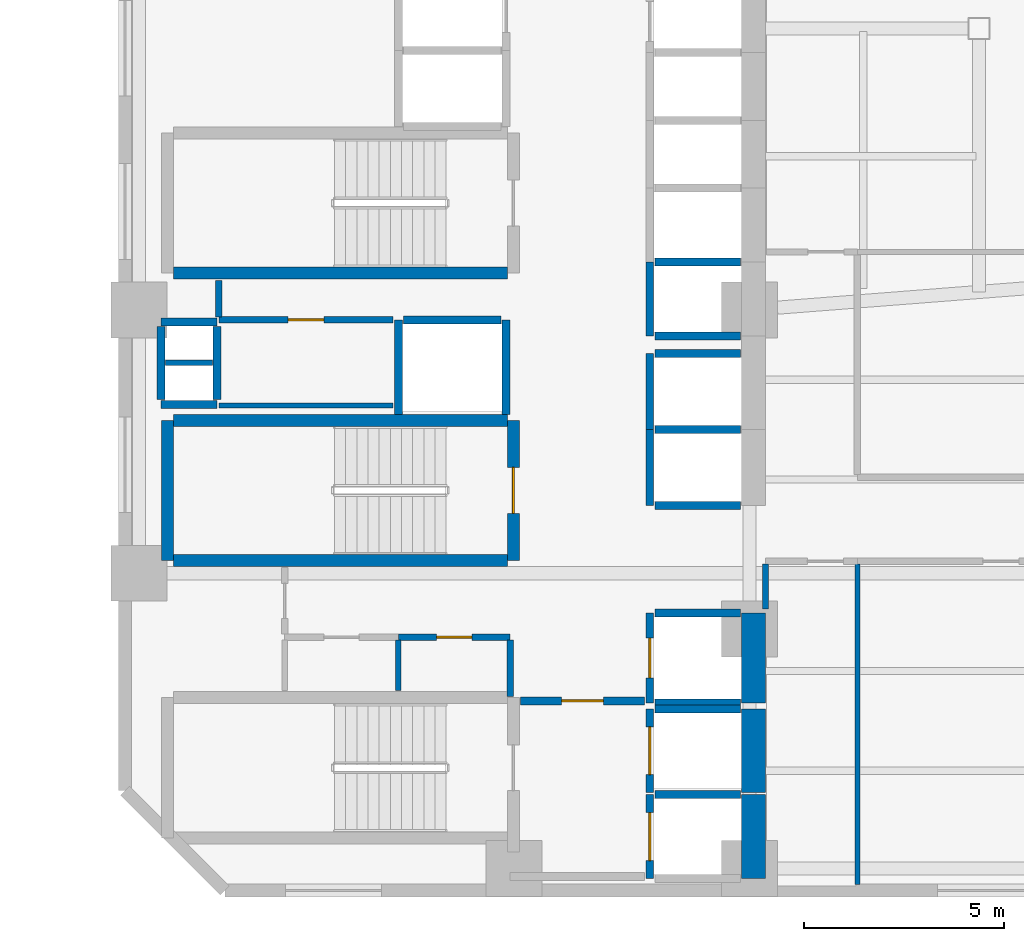
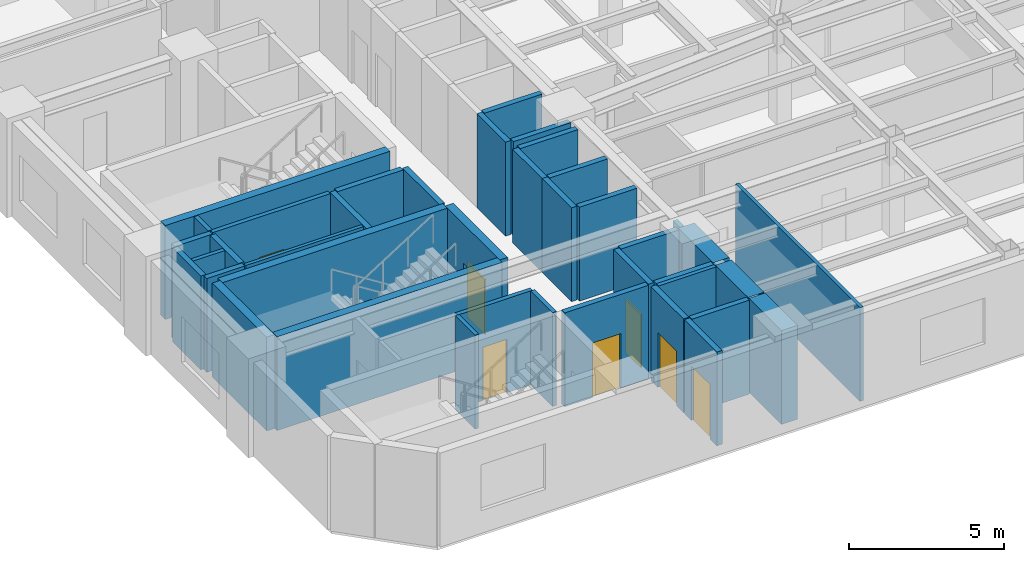
# One storey, part 3 of 10: 40 walls, 7 doors, 7 openings.
"""IFC4 building model written with IfcOpenShell, lengths in metres."""

from ifc_helpers import new_model, si_unit, direction, frame, frame_2d, origin, place, context, subcontext, project, spatial, rectangle, extrude, material, layer, layer_set, type_object, element, fill, save


model = new_model("IFC4")

# Units and contexts
model_context = context("Model", 3, precision=1e-05, world=origin(), true_north=direction((0.0, 1.0)))
body_context = subcontext(model_context, "Body", "Model", "MODEL_VIEW")
ifc_project = project(units=[si_unit("LENGTHUNIT", "METRE"), si_unit("AREAUNIT", "SQUARE_METRE"), si_unit("VOLUMEUNIT", "CUBIC_METRE"), si_unit("PLANEANGLEUNIT", "RADIAN"), si_unit("MASSUNIT", "GRAM", prefix="KILO")], contexts=[model_context])

# Site, building, storey
site_placement = place(None, origin())
site = spatial("IfcSite", under=ifc_project, at=site_placement, CompositionType="ELEMENT")
building_placement = place(site_placement, origin())
building = spatial("IfcBuilding", under=site, at=building_placement, Name="Mawjaban Terraces University", CompositionType="ELEMENT")
storey_placement = place(building_placement, frame((0.0, 0.0, 81.699951171875)))
storey = spatial("IfcBuildingStorey", under=building, at=storey_placement, Name="L19", CompositionType="ELEMENT", Elevation=81.699951171875)

# Walls
ifc_material_1 = material(Name="Concrete C70/85", Category="concrete")
ifc_layer_1 = layer(ifc_material_1, 0.60009765625)
ifc_layer_set_1 = layer_set([ifc_layer_1], Name="Concrete C70/85")
wall_type_1 = type_object("IfcWallType", Name="CoreShearWall_600", PredefinedType="SHEAR", material=ifc_layer_set_1)
wall_1_placement = place(storey_placement, frame((37.75, 0.300048828125, 0.0), z_axis=(0.0, 0.0, 1.0), x_axis=(0.0, 1.0, 0.0)))
element("IfcWall", 1, at=wall_1_placement, inside=storey, type_object=wall_type_1, Name="L19 Lift FL-1 Hoistway Wall East", PredefinedType="SHEAR", context=body_context, shape_type="SweptSolid", body=[
    extrude(rectangle(XDim=2.099853515625, YDim=0.60009765625, at=frame_2d((1.0498046875, 0.0))), origin(), (0.0, 0.0, 1.0), 3.68994140625),
])
wall_2_placement = place(storey_placement, frame((37.75, 2.449951171875, 0.0), z_axis=(0.0, 0.0, 1.0), x_axis=(0.0, 1.0, 0.0)))
element("IfcWall", 2, at=wall_2_placement, inside=storey, type_object=wall_type_1, Name="L19 Lift FL-2 Hoistway Wall East", PredefinedType="SHEAR", context=body_context, shape_type="SweptSolid", body=[
    extrude(rectangle(XDim=2.10009765625, YDim=0.60009765625, at=frame_2d((1.050048828125, 0.0))), origin(), (0.0, 0.0, 1.0), 3.68994140625),
])
wall_3_placement = place(storey_placement, frame((37.75, 4.699951171875, 0.0), z_axis=(0.0, 0.0, 1.0), x_axis=(0.0, 1.0, 0.0)))
element("IfcWall", 3, at=wall_3_placement, inside=storey, type_object=wall_type_1, Name="L19 Lift SL-1 Hoistway Wall East", PredefinedType="SHEAR", context=body_context, shape_type="SweptSolid", body=[
    extrude(rectangle(XDim=2.25, YDim=0.60009765625, at=frame_2d((1.125, 0.0))), origin(), (0.0, 0.0, 1.0), 3.68994140625),
])

# Wall, opening, door
ifc_material_2 = material(Name="Fire-rated gypsum board on steel stud", Category="steel")
ifc_layer_2 = layer(ifc_material_2, 0.159912109375)
ifc_layer_set_2 = layer_set([ifc_layer_2], Name="Fire-rated gypsum board on steel stud")
wall_type_2 = type_object("IfcWallType", Name="CorridorPartition_160", PredefinedType="PARTITIONING", material=ifc_layer_set_2)
wall_4_placement = place(storey_placement, frame((24.35009765625, 14.300048828125, 0.0), z_axis=(0.0, 0.0, 1.0), x_axis=(1.0, 0.0, 0.0)))
wall_4 = element("IfcWall", 4, at=wall_4_placement, inside=storey, type_object=wall_type_2, Name="L19 Core Riser Access Passage Partition 2", PredefinedType="PARTITIONING", context=body_context, shape_type="SweptSolid", body=[
    extrude(rectangle(XDim=4.369873046875, YDim=0.159912109375, at=frame_2d((2.18505859375, 0.0))), origin(), (0.0, 0.0, 1.0), 3.68994140625),
])
opening_1_placement = place(wall_4_placement, frame((1.735107421875, 0.0, 0.0)))
opening_1 = element("IfcOpeningElement", 5, at=opening_1_placement, cuts=wall_4, Name="Opening ID-090", PredefinedType="OPENING", context=body_context, shape_type="SweptSolid", body=[
    extrude(rectangle(XDim=0.89990234375, YDim=2.10009765625, at=frame_2d((0.449951171875, 1.050048828125))), frame((0.0, 0.08984375, 0.0), z_axis=(0.0, -1.0, 0.0), x_axis=(1.0, 0.0, 0.0)), (0.0, 0.0, 1.0), 0.179931640625),
])
ifc_material_3 = material(Name="Powder-coated steel frame and solid acoustic timber leaf", Category="steel")
door_type_1 = type_object("IfcDoorType", Name="OfficeDoor_900x2100", OperationType="NOTDEFINED", PredefinedType="DOOR", material=ifc_material_3)
door_1_placement = place(opening_1_placement, origin())
door_1 = element("IfcDoor", 6, at=door_1_placement, inside=storey, type_object=door_type_1, Name="L19 Cleaner Store Door", OperationType="SINGLE_SWING_LEFT", OverallHeight=2.10009765625, OverallWidth=0.89990234375, PredefinedType="DOOR", context=body_context, shape_type="SweptSolid", body=[
    extrude(rectangle(XDim=0.89990234375, YDim=2.10009765625, at=frame_2d((0.449951171875, 1.050048828125))), frame((0.0, 0.02490234375, 0.0), z_axis=(0.0, -1.0, 0.0), x_axis=(1.0, 0.0, 0.0)), (0.0, 0.0, 1.0), 0.050048828125),
])
fill(opening_1, door_1)

wall_5_placement = place(storey_placement, frame((28.85009765625, 6.35009765625, 0.0), z_axis=(0.0, 0.0, 1.0), x_axis=(1.0, 0.0, 0.0)))
wall_5 = element("IfcWall", 7, at=wall_5_placement, inside=storey, type_object=wall_type_2, Name="L19 Core Washroom Lobby Partition 6", PredefinedType="PARTITIONING", context=body_context, shape_type="SweptSolid", body=[
    extrude(rectangle(XDim=2.7998046875, YDim=0.159912109375, at=frame_2d((1.39990234375, 0.0))), origin(), (0.0, 0.0, 1.0), 3.68994140625),
])
opening_2_placement = place(wall_5_placement, frame((0.9599609375, 0.0, 0.0)))
opening_2 = element("IfcOpeningElement", 8, at=opening_2_placement, cuts=wall_5, Name="Opening ID-088", PredefinedType="OPENING", context=body_context, shape_type="SweptSolid", body=[
    extrude(rectangle(XDim=0.8798828125, YDim=2.10009765625, at=frame_2d((0.43994140625, 1.050048828125))), frame((0.0, 0.08984375, 0.0), z_axis=(0.0, -1.0, 0.0), x_axis=(1.0, 0.0, 0.0)), (0.0, 0.0, 1.0), 0.179931640625),
])
door_type_2 = type_object("IfcDoorType", Name="ToiletDoor_880x2100", OperationType="NOTDEFINED", PredefinedType="DOOR", material=ifc_material_3)
door_2_placement = place(opening_2_placement, origin())
door_2 = element("IfcDoor", 9, at=door_2_placement, inside=storey, type_object=door_type_2, Name="L19 Accessible Toilet Door", OperationType="SINGLE_SWING_RIGHT", OverallHeight=2.10009765625, OverallWidth=0.8798828125, PredefinedType="DOOR", context=body_context, shape_type="SweptSolid", body=[
    extrude(rectangle(XDim=0.8798828125, YDim=2.10009765625, at=frame_2d((0.43994140625, 1.050048828125))), frame((0.0, 0.02490234375, 0.0), z_axis=(0.0, -1.0, 0.0), x_axis=(1.0, 0.0, 0.0)), (0.0, 0.0, 1.0), 0.050048828125),
])
fill(opening_2, door_2)

# Walls
wall_6_placement = place(storey_placement, frame((24.35009765625, 15.2900390625, 0.0), z_axis=(0.0, 0.0, 1.0), x_axis=(0.0, -1.0, 0.0)))
element("IfcWall", 10, at=wall_6_placement, inside=storey, type_object=wall_type_2, Name="L19 Core Riser Access Passage Partition 27", PredefinedType="PARTITIONING", context=body_context, shape_type="SweptSolid", body=[
    extrude(rectangle(XDim=0.9150390625, YDim=0.159912109375, at=frame_2d((0.45751953125, 0.0))), origin(), (0.0, 0.0, 1.0), 3.68994140625),
])
wall_7_placement = place(storey_placement, frame((31.64990234375, 4.860107421875, 0.0), z_axis=(0.0, 0.0, 1.0), x_axis=(0.0, 1.0, 0.0)))
element("IfcWall", 11, at=wall_7_placement, inside=storey, type_object=wall_type_2, Name="L19 Accessible Toilet Partition 40", PredefinedType="PARTITIONING", context=body_context, shape_type="SweptSolid", body=[
    extrude(rectangle(XDim=1.414794921875, YDim=0.159912109375, at=frame_2d((0.70751953125, 0.0))), origin(), (0.0, 0.0, 1.0), 3.68994140625),
])
wall_8_placement = place(storey_placement, frame((38.050048828125, 7.050048828125, 0.0), z_axis=(0.0, 0.0, 1.0), x_axis=(0.0, 1.0, 0.0)))
element("IfcWall", 12, at=wall_8_placement, inside=storey, type_object=wall_type_2, Name="L19 Core Stair and Lift Lobby East Partition 43", PredefinedType="PARTITIONING", context=body_context, shape_type="SweptSolid", body=[
    extrude(rectangle(XDim=1.125, YDim=0.159912109375, at=frame_2d((0.5625, 0.0))), origin(), (0.0, 0.0, 1.0), 3.054931640625),
])

# Wall, opening, door
ifc_material_4 = material(Name="Concrete C40/50", Category="concrete")
ifc_layer_3 = layer(ifc_material_4, 0.199951171875)
ifc_layer_set_3 = layer_set([ifc_layer_3], Name="Concrete C40/50")
wall_type_3 = type_object("IfcWallType", Name="FireLobbyWall_200", PredefinedType="SOLIDWALL", material=ifc_layer_set_3)
wall_9_placement = place(storey_placement, frame((35.14990234375, 2.39990234375, 0.0), z_axis=(0.0, 0.0, 1.0), x_axis=(0.0, -1.0, 0.0)))
wall_9 = element("IfcWall", 13, at=wall_9_placement, inside=storey, type_object=wall_type_3, Name="L19 Lift FL-1 Hoistway Wall West", PredefinedType="SOLIDWALL", context=body_context, shape_type="SweptSolid", body=[
    extrude(rectangle(XDim=2.099853515625, YDim=0.199951171875, at=frame_2d((1.0498046875, 0.0))), origin(), (0.0, 0.0, 1.0), 3.68994140625),
])
opening_3_placement = place(wall_9_placement, frame((0.449951171875, 0.0, 0.0)))
opening_3 = element("IfcOpeningElement", 14, at=opening_3_placement, cuts=wall_9, Name="Opening LD-FL-1", PredefinedType="OPENING", context=body_context, shape_type="SweptSolid", body=[
    extrude(rectangle(XDim=1.199951171875, YDim=2.14990234375, at=frame_2d((0.60009765625, 1.074951171875))), frame((0.0, 0.10986328125, 0.0), z_axis=(0.0, -1.0, 0.0), x_axis=(1.0, 0.0, 0.0)), (0.0, 0.0, 1.0), 0.219970703125),
])
ifc_material_5 = material(Name="Powder-coated steel frame and fire-rated steel-faced leaf", Category="steel")
door_type_3 = type_object("IfcDoorType", Name="LiftLandingFSAE_1200x2150", OperationType="NOTDEFINED", PredefinedType="DOOR", material=ifc_material_5)
door_3_placement = place(opening_3_placement, origin())
door_3 = element("IfcDoor", 15, at=door_3_placement, inside=storey, type_object=door_type_3, Name="L19 Lift FL-1 Sliding Landing Door", OperationType="DOUBLE_DOOR_SLIDING", OverallHeight=2.14990234375, OverallWidth=1.199951171875, PredefinedType="DOOR", context=body_context, shape_type="SweptSolid", body=[
    extrude(rectangle(XDim=1.199951171875, YDim=2.14990234375, at=frame_2d((0.60009765625, 1.074951171875))), frame((0.0, 0.02490234375, 0.0), z_axis=(0.0, -1.0, 0.0), x_axis=(1.0, 0.0, 0.0)), (0.0, 0.0, 1.0), 0.050048828125),
])
fill(opening_3, door_3)

# Wall
wall_10_placement = place(storey_placement, frame((37.419921875, 2.39990234375, 0.0), z_axis=(0.0, 0.0, 1.0), x_axis=(-1.0, 0.0, 0.0)))
element("IfcWall", 16, at=wall_10_placement, inside=storey, type_object=wall_type_3, Name="L19 Lift FL-1 Hoistway Wall North", PredefinedType="SOLIDWALL", context=body_context, shape_type="SweptSolid", body=[
    extrude(rectangle(XDim=2.139892578125, YDim=0.199951171875, at=frame_2d((1.06982421875, 0.0))), origin(), (0.0, 0.0, 1.0), 3.68994140625),
])

# Wall, opening, door
wall_11_placement = place(storey_placement, frame((35.14990234375, 4.550048828125, 0.0), z_axis=(0.0, 0.0, 1.0), x_axis=(0.0, -1.0, 0.0)))
wall_11 = element("IfcWall", 17, at=wall_11_placement, inside=storey, type_object=wall_type_3, Name="L19 Lift FL-2 Hoistway Wall West", PredefinedType="SOLIDWALL", context=body_context, shape_type="SweptSolid", body=[
    extrude(rectangle(XDim=2.10009765625, YDim=0.199951171875, at=frame_2d((1.050048828125, 0.0))), origin(), (0.0, 0.0, 1.0), 3.68994140625),
])
opening_4_placement = place(wall_11_placement, frame((0.449951171875, 0.0, 0.0)))
opening_4 = element("IfcOpeningElement", 18, at=opening_4_placement, cuts=wall_11, Name="Opening LD-FL-2", PredefinedType="OPENING", context=body_context, shape_type="SweptSolid", body=[
    extrude(rectangle(XDim=1.199951171875, YDim=2.14990234375, at=frame_2d((0.60009765625, 1.074951171875))), frame((0.0, 0.10986328125, 0.0), z_axis=(0.0, -1.0, 0.0), x_axis=(1.0, 0.0, 0.0)), (0.0, 0.0, 1.0), 0.219970703125),
])
door_4_placement = place(opening_4_placement, origin())
door_4 = element("IfcDoor", 19, at=door_4_placement, inside=storey, type_object=door_type_3, Name="L19 Lift FL-2 Sliding Landing Door", OperationType="DOUBLE_DOOR_SLIDING", OverallHeight=2.14990234375, OverallWidth=1.199951171875, PredefinedType="DOOR", context=body_context, shape_type="SweptSolid", body=[
    extrude(rectangle(XDim=1.199951171875, YDim=2.14990234375, at=frame_2d((0.60009765625, 1.074951171875))), frame((0.0, 0.02490234375, 0.0), z_axis=(0.0, -1.0, 0.0), x_axis=(1.0, 0.0, 0.0)), (0.0, 0.0, 1.0), 0.050048828125),
])
fill(opening_4, door_4)

# Wall
wall_12_placement = place(storey_placement, frame((37.419921875, 4.550048828125, 0.0), z_axis=(0.0, 0.0, 1.0), x_axis=(-1.0, 0.0, 0.0)))
element("IfcWall", 20, at=wall_12_placement, inside=storey, type_object=wall_type_3, Name="L19 Lift FL-2 Hoistway Wall North", PredefinedType="SOLIDWALL", context=body_context, shape_type="SweptSolid", body=[
    extrude(rectangle(XDim=2.139892578125, YDim=0.199951171875, at=frame_2d((1.06982421875, 0.0))), origin(), (0.0, 0.0, 1.0), 3.68994140625),
])

# Wall, opening, door
wall_13_placement = place(storey_placement, frame((35.14990234375, 6.949951171875, 0.0), z_axis=(0.0, 0.0, 1.0), x_axis=(0.0, -1.0, 0.0)))
wall_13 = element("IfcWall", 21, at=wall_13_placement, inside=storey, type_object=wall_type_3, Name="L19 Lift SL-1 Hoistway Wall West", PredefinedType="SOLIDWALL", context=body_context, shape_type="SweptSolid", body=[
    extrude(rectangle(XDim=2.25, YDim=0.199951171875, at=frame_2d((1.125, 0.0))), origin(), (0.0, 0.0, 1.0), 3.68994140625),
])
opening_5_placement = place(wall_13_placement, frame((0.625, 0.0, 0.0)))
opening_5 = element("IfcOpeningElement", 22, at=opening_5_placement, cuts=wall_13, Name="Opening LD-SL-1", PredefinedType="OPENING", context=body_context, shape_type="SweptSolid", body=[
    extrude(rectangle(XDim=1.0, YDim=2.10009765625, at=frame_2d((0.5, 1.050048828125))), frame((0.0, 0.10986328125, 0.0), z_axis=(0.0, -1.0, 0.0), x_axis=(1.0, 0.0, 0.0)), (0.0, 0.0, 1.0), 0.219970703125),
])
door_type_4 = type_object("IfcDoorType", Name="LiftLandingSliding_1000x2100", OperationType="NOTDEFINED", PredefinedType="DOOR", material=ifc_material_5)
door_5_placement = place(opening_5_placement, origin())
door_5 = element("IfcDoor", 23, at=door_5_placement, inside=storey, type_object=door_type_4, Name="L19 Lift SL-1 Sliding Landing Door", OperationType="DOUBLE_DOOR_SLIDING", OverallHeight=2.10009765625, OverallWidth=1.0, PredefinedType="DOOR", context=body_context, shape_type="SweptSolid", body=[
    extrude(rectangle(XDim=1.0, YDim=2.10009765625, at=frame_2d((0.5, 1.050048828125))), frame((0.0, 0.02490234375, 0.0), z_axis=(0.0, -1.0, 0.0), x_axis=(1.0, 0.0, 0.0)), (0.0, 0.0, 1.0), 0.050048828125),
])
fill(opening_5, door_5)

# Walls
for number, where, z_axis, x_axis, name in (
    (24, (35.280029296875, 4.699951171875, 0.0), (0.0, 0.0, 1.0), (1.0, 0.0, 0.0), "L19 Lift SL-1 Hoistway Wall South"),
    (25, (37.419921875, 6.949951171875, 0.0), (0.0, 0.0, 1.0), (-1.0, 0.0, 0.0), "L19 Lift SL-1 Hoistway Wall North"),
):
    element("IfcWall", number, at=place(storey_placement, frame(where, z_axis=z_axis, x_axis=x_axis)), inside=storey, type_object=wall_type_3, Name=name, PredefinedType="SOLIDWALL", context=body_context, shape_type="SweptSolid", body=[
        extrude(rectangle(XDim=2.139892578125, YDim=0.199951171875, at=frame_2d((1.06982421875, 0.0))), origin(), (0.0, 0.0, 1.0), 3.68994140625),
    ])
wall_14_placement = place(storey_placement, frame((35.14990234375, 11.550048828125, 0.0), z_axis=(0.0, 0.0, 1.0), x_axis=(0.0, -1.0, 0.0)))
element("IfcWall", 26, at=wall_14_placement, inside=storey, type_object=wall_type_3, Name="L19 Lift PL-H1 Hoistway Wall West", PredefinedType="SOLIDWALL", context=body_context, shape_type="SweptSolid", body=[
    extrude(rectangle(XDim=1.900146484375, YDim=0.199951171875, at=frame_2d((0.9501953125, 0.0))), origin(), (0.0, 0.0, 1.0), 3.68994140625),
])
for number, where, z_axis, x_axis, name in (
    (27, (35.280029296875, 9.64990234375, 0.0), (0.0, 0.0, 1.0), (1.0, 0.0, 0.0), "L19 Lift PL-H1 Hoistway Wall South"),
    (28, (37.419921875, 11.550048828125, 0.0), (0.0, 0.0, 1.0), (-1.0, 0.0, 0.0), "L19 Lift PL-H1 Hoistway Wall North"),
):
    element("IfcWall", number, at=place(storey_placement, frame(where, z_axis=z_axis, x_axis=x_axis)), inside=storey, type_object=wall_type_3, Name=name, PredefinedType="SOLIDWALL", context=body_context, shape_type="SweptSolid", body=[
        extrude(rectangle(XDim=2.139892578125, YDim=0.199951171875, at=frame_2d((1.06982421875, 0.0))), origin(), (0.0, 0.0, 1.0), 3.68994140625),
    ])
wall_15_placement = place(storey_placement, frame((35.14990234375, 13.449951171875, 0.0), z_axis=(0.0, 0.0, 1.0), x_axis=(0.0, -1.0, 0.0)))
element("IfcWall", 29, at=wall_15_placement, inside=storey, type_object=wall_type_3, Name="L19 Lift PL-H2 Hoistway Wall West", PredefinedType="SOLIDWALL", context=body_context, shape_type="SweptSolid", body=[
    extrude(rectangle(XDim=1.89990234375, YDim=0.199951171875, at=frame_2d((0.949951171875, 0.0))), origin(), (0.0, 0.0, 1.0), 3.68994140625),
])
wall_16_placement = place(storey_placement, frame((37.419921875, 13.449951171875, 0.0), z_axis=(0.0, 0.0, 1.0), x_axis=(-1.0, 0.0, 0.0)))
element("IfcWall", 30, at=wall_16_placement, inside=storey, type_object=wall_type_3, Name="L19 Lift PL-H2 Hoistway Wall North", PredefinedType="SOLIDWALL", context=body_context, shape_type="SweptSolid", body=[
    extrude(rectangle(XDim=2.139892578125, YDim=0.199951171875, at=frame_2d((1.06982421875, 0.0))), origin(), (0.0, 0.0, 1.0), 3.68994140625),
])
for number, where, z_axis, x_axis, name in (
    (31, (28.85009765625, 14.300048828125, 0.0), (0.0, 0.0, 1.0), (0.0, -1.0, 0.0), "L19 Lift PL-H3 Hoistway Wall West"),
    (32, (31.550048828125, 11.929931640625, 0.0), (0.0, 0.0, 1.0), (0.0, 1.0, 0.0), "L19 Lift PL-H3 Hoistway Wall East"),
):
    element("IfcWall", number, at=place(storey_placement, frame(where, z_axis=z_axis, x_axis=x_axis)), inside=storey, type_object=wall_type_3, Name=name, PredefinedType="SOLIDWALL", context=body_context, shape_type="SweptSolid", body=[
        extrude(rectangle(XDim=2.3701171875, YDim=0.199951171875, at=frame_2d((1.18505859375, 0.0))), origin(), (0.0, 0.0, 1.0), 3.68994140625),
    ])
wall_17_placement = place(storey_placement, frame((31.419921875, 14.300048828125, 0.0), z_axis=(0.0, 0.0, 1.0), x_axis=(-1.0, 0.0, 0.0)))
element("IfcWall", 33, at=wall_17_placement, inside=storey, type_object=wall_type_3, Name="L19 Lift PL-H3 Hoistway Wall North", PredefinedType="SOLIDWALL", context=body_context, shape_type="SweptSolid", body=[
    extrude(rectangle(XDim=2.43994140625, YDim=0.199951171875, at=frame_2d((1.219970703125, 0.0))), origin(), (0.0, 0.0, 1.0), 3.68994140625),
])
wall_18_placement = place(storey_placement, frame((35.14990234375, 15.75, 0.0), z_axis=(0.0, 0.0, 1.0), x_axis=(0.0, -1.0, 0.0)))
element("IfcWall", 34, at=wall_18_placement, inside=storey, type_object=wall_type_3, Name="L19 Lift OL-1 Hoistway Wall West", PredefinedType="SOLIDWALL", context=body_context, shape_type="SweptSolid", body=[
    extrude(rectangle(XDim=1.85009765625, YDim=0.199951171875, at=frame_2d((0.925048828125, 0.0))), origin(), (0.0, 0.0, 1.0), 3.68994140625),
])
for number, where, z_axis, x_axis, name in (
    (35, (35.280029296875, 13.89990234375, 0.0), (0.0, 0.0, 1.0), (1.0, 0.0, 0.0), "L19 Lift OL-1 Hoistway Wall South"),
    (36, (37.419921875, 15.75, 0.0), (0.0, 0.0, 1.0), (-1.0, 0.0, 0.0), "L19 Lift OL-1 Hoistway Wall North"),
):
    element("IfcWall", number, at=place(storey_placement, frame(where, z_axis=z_axis, x_axis=x_axis)), inside=storey, type_object=wall_type_3, Name=name, PredefinedType="SOLIDWALL", context=body_context, shape_type="SweptSolid", body=[
        extrude(rectangle(XDim=2.139892578125, YDim=0.199951171875, at=frame_2d((1.06982421875, 0.0))), origin(), (0.0, 0.0, 1.0), 3.68994140625),
    ])
for number, where, z_axis, x_axis, name in (
    (37, (22.89990234375, 14.25, 0.0), (0.0, 0.0, 1.0), (1.0, 0.0, 0.0), "L19 MEP Riser Shaft Wall N"),
    (38, (22.89990234375, 12.179931640625, 0.0), (0.0, 0.0, 1.0), (1.0, 0.0, 0.0), "L19 MEP Riser Shaft Wall S"),
):
    element("IfcWall", number, at=place(storey_placement, frame(where, z_axis=z_axis, x_axis=x_axis)), inside=storey, type_object=wall_type_3, Name=name, PredefinedType="SOLIDWALL", context=body_context, shape_type="SweptSolid", body=[
        extrude(rectangle(XDim=1.400146484375, YDim=0.199951171875, at=frame_2d((0.7001953125, 0.0))), origin(), (0.0, 0.0, 1.0), 3.68994140625),
    ])
for number, where, z_axis, x_axis, name in (
    (39, (24.300048828125, 12.300048828125, 0.0), (0.0, 0.0, 1.0), (0.0, 1.0, 0.0), "L19 MEP Riser Shaft Wall E"),
    (40, (22.89990234375, 12.300048828125, 0.0), (0.0, 0.0, 1.0), (0.0, 1.0, 0.0), "L19 MEP Riser Shaft Wall W"),
):
    element("IfcWall", number, at=place(storey_placement, frame(where, z_axis=z_axis, x_axis=x_axis)), inside=storey, type_object=wall_type_3, Name=name, PredefinedType="SOLIDWALL", context=body_context, shape_type="SweptSolid", body=[
        extrude(rectangle(XDim=1.829833984375, YDim=0.199951171875, at=frame_2d((0.9150390625, 0.0))), origin(), (0.0, 0.0, 1.0), 3.68994140625),
    ])

# Wall, opening, door
wall_19_placement = place(storey_placement, frame((35.02001953125, 4.75, 0.0), z_axis=(0.0, 0.0, 1.0), x_axis=(-1.0, 0.0, 0.0)))
wall_19 = element("IfcWall", 41, at=wall_19_placement, inside=storey, type_object=wall_type_3, Name="L19 Firefighting Lift Lobby Partition 12", PredefinedType="SOLIDWALL", context=body_context, shape_type="SweptSolid", body=[
    extrude(rectangle(XDim=3.110107421875, YDim=0.199951171875, at=frame_2d((1.55517578125, 0.0))), origin(), (0.0, 0.0, 1.0), 3.68994140625),
])
opening_6_placement = place(wall_19_placement, frame((1.030029296875, 0.0, 0.0)))
opening_6 = element("IfcOpeningElement", 42, at=opening_6_placement, cuts=wall_19, Name="Opening FD-105", PredefinedType="OPENING", context=body_context, shape_type="SweptSolid", body=[
    extrude(rectangle(XDim=1.050048828125, YDim=2.14990234375, at=frame_2d((0.52490234375, 1.074951171875))), frame((0.0, 0.10986328125, 0.0), z_axis=(0.0, -1.0, 0.0), x_axis=(1.0, 0.0, 0.0)), (0.0, 0.0, 1.0), 0.219970703125),
])
door_type_5 = type_object("IfcDoorType", Name="FireLobbyDoor_1050x2150", OperationType="NOTDEFINED", PredefinedType="DOOR", material=ifc_material_5)
door_6_placement = place(opening_6_placement, origin())
door_6 = element("IfcDoor", 43, at=door_6_placement, inside=storey, type_object=door_type_5, Name="L19 Firefighting Lift Lobby Door", OperationType="SINGLE_SWING_LEFT", OverallHeight=2.14990234375, OverallWidth=1.050048828125, PredefinedType="DOOR", context=body_context, shape_type="SweptSolid", body=[
    extrude(rectangle(XDim=1.050048828125, YDim=2.14990234375, at=frame_2d((0.52490234375, 1.074951171875))), frame((0.0, 0.02490234375, 0.0), z_axis=(0.0, -1.0, 0.0), x_axis=(1.0, 0.0, 0.0)), (0.0, 0.0, 1.0), 0.050048828125),
])
fill(opening_6, door_6)

# Walls
ifc_material_6 = material(Name="Moisture-resistant gypsum board on steel stud", Category="steel")
ifc_layer_4 = layer(ifc_material_6, 0.14501953125)
ifc_layer_set_4 = layer_set([ifc_layer_4], Name="Moisture-resistant gypsum board on steel stud")
wall_type_4 = type_object("IfcWallType", Name="LabPartition_145", PredefinedType="PARTITIONING", material=ifc_layer_set_4)
wall_20_placement = place(storey_placement, frame((23.010009765625, 13.22509765625, 0.0), z_axis=(0.0, 0.0, 1.0), x_axis=(1.0, 0.0, 0.0)))
element("IfcWall", 44, at=wall_20_placement, inside=storey, type_object=wall_type_4, Name="L19 MEP Riser Shaft Wall M", PredefinedType="PARTITIONING", context=body_context, shape_type="SweptSolid", body=[
    extrude(rectangle(XDim=1.179931640625, YDim=0.14501953125, at=frame_2d((0.58984375, 0.0))), origin(), (0.0, 0.0, 1.0), 3.68994140625),
])
ifc_material_7 = material(Name="Gypsum plasterboard on steel stud", Category="steel")
ifc_layer_5 = layer(ifc_material_7, 0.125)
ifc_layer_set_5 = layer_set([ifc_layer_5], Name="Gypsum plasterboard on steel stud")
wall_type_5 = type_object("IfcWallType", Name="OfficePartition_125", PredefinedType="PARTITIONING", material=ifc_layer_set_5)
wall_21_placement = place(storey_placement, frame((24.35009765625, 12.14990234375, 0.0), z_axis=(0.0, 0.0, 1.0), x_axis=(1.0, 0.0, 0.0)))
element("IfcWall", 45, at=wall_21_placement, inside=storey, type_object=wall_type_5, Name="L19 Cleaner Store Partition 1", PredefinedType="PARTITIONING", context=body_context, shape_type="SweptSolid", body=[
    extrude(rectangle(XDim=4.369873046875, YDim=0.125, at=frame_2d((2.18505859375, 0.0))), origin(), (0.0, 0.0, 1.0), 3.68994140625),
])
wall_22_placement = place(storey_placement, frame((40.35009765625, 0.155029296875, 0.0), z_axis=(0.0, 0.0, 1.0), x_axis=(0.0, 1.0, 0.0)))
element("IfcWall", 46, at=wall_22_placement, inside=storey, type_object=wall_type_5, Name="L19 Academic Counseling Room 1 Partition 45", PredefinedType="PARTITIONING", context=body_context, shape_type="SweptSolid", body=[
    extrude(rectangle(XDim=8.02001953125, YDim=0.125, at=frame_2d((4.010009765625, 0.0))), origin(), (0.0, 0.0, 1.0), 3.68994140625),
])
ifc_material_8 = material(Name="Concrete C60/75", Category="concrete")
ifc_layer_6 = layer(ifc_material_8, 0.300048828125)
ifc_layer_set_6 = layer_set([ifc_layer_6], Name="Concrete C60/75")
wall_type_6 = type_object("IfcWallType", Name="StairShaftWall_300", PredefinedType="SHEAR", material=ifc_layer_set_6)
for number, where, z_axis, x_axis, name in (
    (47, (23.219970703125, 15.469970703125, 0.0), (0.0, 0.0, 1.0), (1.0, 0.0, 0.0), "L19 ST-2 Stair Shaft Wall 3"),
    (48, (31.580078125, 11.780029296875, 0.0), (0.0, 0.0, 1.0), (-1.0, 0.0, 0.0), "L19 ST-3 Stair Shaft Wall 1"),
):
    element("IfcWall", number, at=place(storey_placement, frame(where, z_axis=z_axis, x_axis=x_axis)), inside=storey, type_object=wall_type_6, Name=name, PredefinedType="SHEAR", context=body_context, shape_type="SweptSolid", body=[
        extrude(rectangle(XDim=8.360107421875, YDim=0.300048828125, at=frame_2d((4.18017578125, 0.0))), origin(), (0.0, 0.0, 1.0), 3.68994140625),
    ])
wall_23_placement = place(storey_placement, frame((23.070068359375, 11.780029296875, 0.0), z_axis=(0.0, 0.0, 1.0), x_axis=(0.0, -1.0, 0.0)))
element("IfcWall", 49, at=wall_23_placement, inside=storey, type_object=wall_type_6, Name="L19 ST-3 Stair Shaft Wall 2", PredefinedType="SHEAR", context=body_context, shape_type="SweptSolid", body=[
    extrude(rectangle(XDim=3.510009765625, YDim=0.300048828125, at=frame_2d((1.7548828125, 0.0))), origin(), (0.0, 0.0, 1.0), 3.68994140625),
])
wall_24_placement = place(storey_placement, frame((23.219970703125, 8.27001953125, 0.0), z_axis=(0.0, 0.0, 1.0), x_axis=(1.0, 0.0, 0.0)))
element("IfcWall", 50, at=wall_24_placement, inside=storey, type_object=wall_type_6, Name="L19 ST-3 Stair Shaft Wall 3", PredefinedType="SHEAR", context=body_context, shape_type="SweptSolid", body=[
    extrude(rectangle(XDim=8.360107421875, YDim=0.300048828125, at=frame_2d((4.18017578125, 0.0))), origin(), (0.0, 0.0, 1.0), 3.68994140625),
])

# Wall, opening, door
wall_25_placement = place(storey_placement, frame((31.72998046875, 8.27001953125, 0.0), z_axis=(0.0, 0.0, 1.0), x_axis=(0.0, 1.0, 0.0)))
wall_25 = element("IfcWall", 51, at=wall_25_placement, inside=storey, type_object=wall_type_6, Name="L19 ST-3 Stair Shaft Wall 4", PredefinedType="SHEAR", context=body_context, shape_type="SweptSolid", body=[
    extrude(rectangle(XDim=3.510009765625, YDim=0.300048828125, at=frame_2d((1.7548828125, 0.0))), origin(), (0.0, 0.0, 1.0), 3.68994140625),
])
opening_7_placement = place(wall_25_placement, frame((1.179931640625, 0.0, 0.0)))
opening_7 = element("IfcOpeningElement", 52, at=opening_7_placement, cuts=wall_25, Name="Opening FD-115", PredefinedType="OPENING", context=body_context, shape_type="SweptSolid", body=[
    extrude(rectangle(XDim=1.14990234375, YDim=2.14990234375, at=frame_2d((0.574951171875, 1.074951171875))), frame((0.0, 0.159912109375, 0.0), z_axis=(0.0, -1.0, 0.0), x_axis=(1.0, 0.0, 0.0)), (0.0, 0.0, 1.0), 0.320068359375),
])
door_type_6 = type_object("IfcDoorType", Name="FireStairDoor_1150x2150", OperationType="NOTDEFINED", PredefinedType="DOOR", material=ifc_material_5)
door_7_placement = place(opening_7_placement, origin())
door_7 = element("IfcDoor", 53, at=door_7_placement, inside=storey, type_object=door_type_6, Name="L19 ST-3 Pressurised Stair Fire Door", OperationType="SINGLE_SWING_RIGHT", OverallHeight=2.14990234375, OverallWidth=1.14990234375, PredefinedType="DOOR", context=body_context, shape_type="SweptSolid", body=[
    extrude(rectangle(XDim=1.14990234375, YDim=2.14990234375, at=frame_2d((0.574951171875, 1.074951171875))), frame((0.0, 0.02490234375, 0.0), z_axis=(0.0, -1.0, 0.0), x_axis=(1.0, 0.0, 0.0)), (0.0, 0.0, 1.0), 0.050048828125),
])
fill(opening_7, door_7)

# Wall
ifc_material_9 = material(Name="Cement-board wet-room partition", Category="masonry")
ifc_layer_7 = layer(ifc_material_9, 0.135009765625)
ifc_layer_set_7 = layer_set([ifc_layer_7], Name="Cement-board wet-room partition")
wall_type_7 = type_object("IfcWallType", Name="WetRoomPartition_135", PredefinedType="PARTITIONING", material=ifc_layer_set_7)
wall_26_placement = place(storey_placement, frame((28.85009765625, 5.010009765625, 0.0), z_axis=(0.0, 0.0, 1.0), x_axis=(0.0, 1.0, 0.0)))
element("IfcWall", 54, at=wall_26_placement, inside=storey, type_object=wall_type_7, Name="L19 Male Toilet Partition 31", PredefinedType="PARTITIONING", context=body_context, shape_type="SweptSolid", body=[
    extrude(rectangle(XDim=1.264892578125, YDim=0.135009765625, at=frame_2d((0.63232421875, 0.0))), origin(), (0.0, 0.0, 1.0), 3.68994140625),
])

save(model, "model.ifc")
